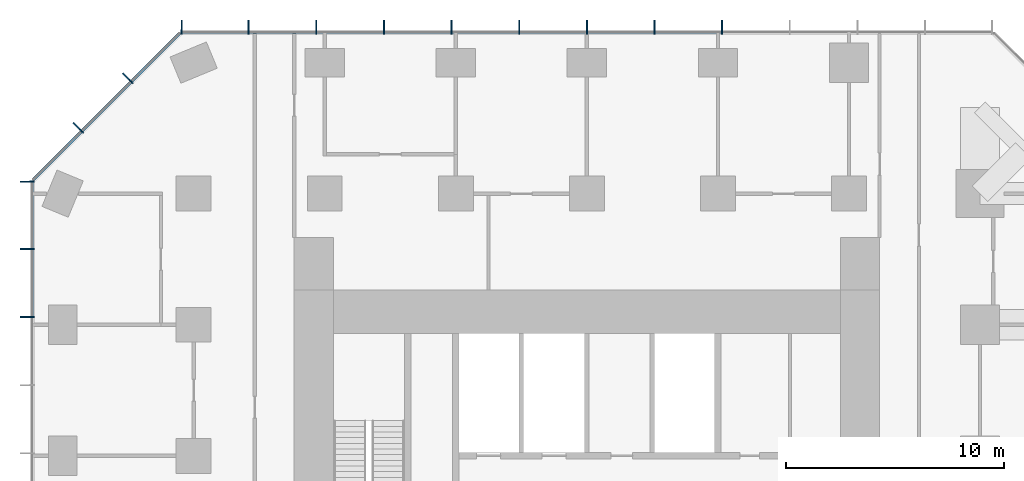
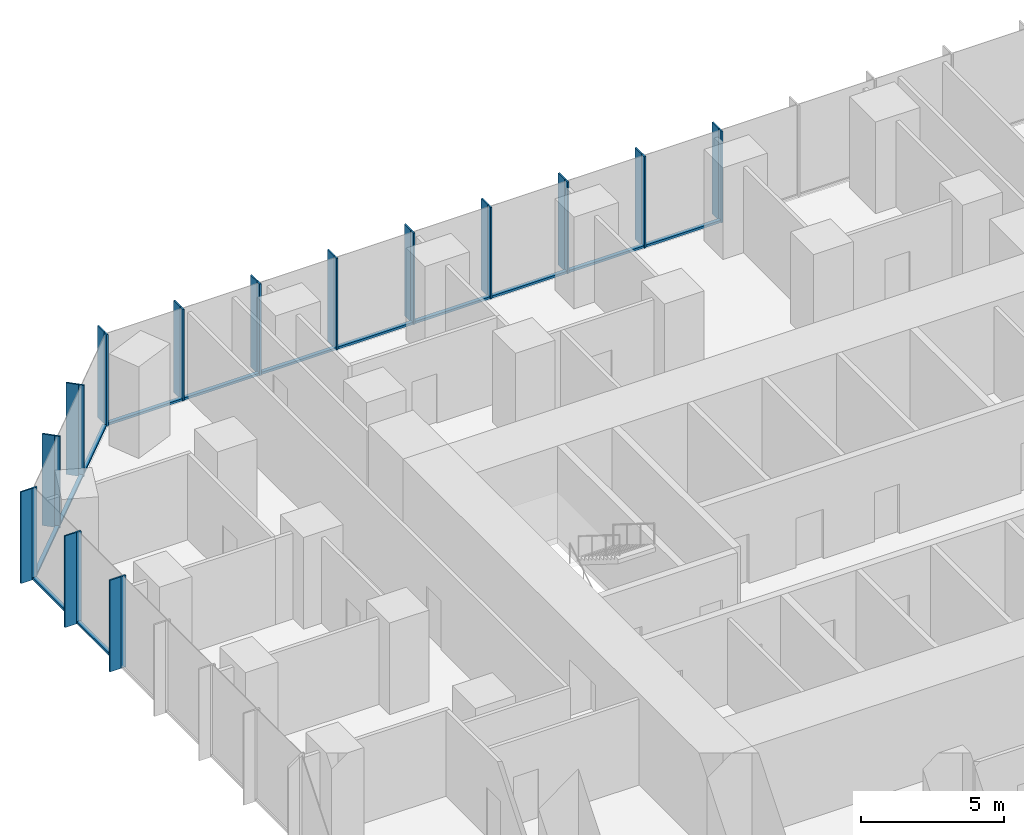
# One storey, part 5 of 12: 41 members, 3 elements without a shape of their own.
"""IFC4 building model written with IfcOpenShell, lengths in metres."""

import ifcopenshell
import ifcopenshell.guid

model = None  # the IFC model being written
_history = None  # IfcOwnerHistory: only IFC2X3 demands one
_inside = {}  # id of a spatial element -> (the spatial element, [elements in it])
_under = {}  # id of a project, library or spatial element -> (it, [spatial elements below it])
_declared = {}  # id of a project -> (the project, [libraries it declares])
_typed = {}  # id of a type object -> (the type object, [elements of that type])
_made_of = {}  # id of a material, layer set ... -> (it, [elements and type objects made of it])


def new_model(schema):
    """Start an empty IFC model of exactly this schema.

    Asked for "IFC4X3", IfcOpenShell would pick the latest addendum, in which some entities
    have other attributes; the version numbers below select the first issue.
    IFC2X3 requires an IfcOwnerHistory on every rooted entity: one is made here for all.
    """
    global model, _history
    if schema == "IFC4X3":
        model = ifcopenshell.file(schema_version=(4, 3, 0, 0))
    else:
        model = ifcopenshell.file(schema=schema)
    _inside.clear()
    _under.clear()
    _declared.clear()
    _typed.clear()
    _made_of.clear()
    _history = None
    if model.schema == "IFC2X3":
        org = make("IfcOrganization", Name="unknown")
        user = make(
            "IfcPersonAndOrganization",
            ThePerson=make("IfcPerson", FamilyName="unknown"),
            TheOrganization=org,
        )
        app = make(
            "IfcApplication",
            ApplicationDeveloper=org,
            Version="unknown",
            ApplicationFullName="unknown",
            ApplicationIdentifier="unknown",
        )
        _history = make(
            "IfcOwnerHistory",
            OwningUser=user,
            OwningApplication=app,
            ChangeAction="ADDED",
            CreationDate=0,
        )
    return model


def make(cls, **values):
    """One entity of the class cls with the attributes given. An attribute that is None is left unset."""
    return model.create_entity(
        cls, **{name: value for name, value in values.items() if value is not None}
    )


def rooted(cls, **values):
    """An entity with a GlobalId (a new one), such as an element, a storey or a relation."""
    return make(cls, GlobalId=ifcopenshell.guid.new(), OwnerHistory=_history, **values)


def si_unit(unit_type, name, prefix=None):
    """IfcSIUnit, for example si_unit("LENGTHUNIT", "METRE", prefix="MILLI")."""
    return make("IfcSIUnit", UnitType=unit_type, Prefix=prefix, Name=name)


def assignment(units):
    """IfcUnitAssignment: the units of a project."""
    return None if units is None else make("IfcUnitAssignment", Units=units)


def point(xyz):
    """IfcCartesianPoint."""
    return None if xyz is None else make("IfcCartesianPoint", Coordinates=xyz)


def direction(xyz):
    """IfcDirection."""
    return None if xyz is None else make("IfcDirection", DirectionRatios=xyz)


def frame(location, z_axis=None, x_axis=None):
    """IfcAxis2Placement3D, a coordinate frame: its origin and axes. An axis left out is left unset."""
    return make(
        "IfcAxis2Placement3D",
        Location=point(location),
        Axis=direction(z_axis),
        RefDirection=direction(x_axis),
    )


def frame_2d(location, x_axis=None):
    """IfcAxis2Placement2D, a coordinate frame in the plane: its origin and x axis."""
    return make(
        "IfcAxis2Placement2D", Location=point(location), RefDirection=direction(x_axis)
    )


def origin():
    """The frame at (0, 0, 0) with its axes left unset."""
    return frame((0.0, 0.0, 0.0))


def origin_2d():
    """The frame at (0, 0) in the plane with its x axis left unset."""
    return frame_2d((0.0, 0.0))


def place(relative_to, where):
    """IfcLocalPlacement: puts the frame where relative to a parent placement (None: the world)."""
    return make(
        "IfcLocalPlacement", PlacementRelTo=relative_to, RelativePlacement=where
    )


def context(
    kind, dimensions, precision=None, world=None, true_north=None, identifier=None
):
    """IfcGeometricRepresentationContext, for example the 3D "Model" context."""
    return make(
        "IfcGeometricRepresentationContext",
        ContextIdentifier=identifier,
        ContextType=kind,
        CoordinateSpaceDimension=dimensions,
        Precision=precision,
        WorldCoordinateSystem=world,
        TrueNorth=true_north,
    )


def subcontext(parent, identifier, kind, view, scale=None):
    """IfcGeometricRepresentationSubContext, for example "Body" below "Model"."""
    return make(
        "IfcGeometricRepresentationSubContext",
        ContextIdentifier=identifier,
        ContextType=kind,
        ParentContext=parent,
        TargetScale=scale,
        TargetView=view,
    )


def project(units=None, contexts=None):
    """IfcProject with its units and contexts."""
    return rooted(
        "IfcProject",
        Name="project",
        RepresentationContexts=contexts,
        UnitsInContext=assignment(units),
    )


def spatial(cls, under=None, at=None, **own):
    """A site, building, storey or space (cls), placed at a placement, below another one or the project."""
    s = rooted(cls, ObjectPlacement=at, **own)
    if under is not None:
        _under.setdefault(under.id(), (under, []))[1].append(s)
    return s


def profile(cls, at=None, kind="AREA", **sizes):
    """A parametric profile (cls). Its sizes go by their IFC names, for example OverallWidth=200.0."""
    return make(cls, ProfileType=kind, Position=at, **sizes)


def rectangle(**sizes):
    """IfcRectangleProfileDef."""
    return profile("IfcRectangleProfileDef", **sizes)


def extrude(swept, where, along, depth):
    """IfcExtrudedAreaSolid: the profile swept, set in the frame where, extruded along a direction by depth."""
    return make(
        "IfcExtrudedAreaSolid",
        SweptArea=swept,
        Position=where,
        ExtrudedDirection=direction(along),
        Depth=depth,
    )


def shape(context_of_items, identifier, shape_type, items):
    """IfcShapeRepresentation: the items that make up one representation, for example the "Body"."""
    return make(
        "IfcShapeRepresentation",
        ContextOfItems=context_of_items,
        RepresentationIdentifier=identifier,
        RepresentationType=shape_type,
        Items=items,
    )


def material(Name=None, Category=None):
    """IfcMaterial."""
    return make("IfcMaterial", Name=Name, Category=Category)


def layer(
    of_material, thickness, ventilated=None, Name=None, Category=None, Priority=None
):
    """IfcMaterialLayer: one layer of a wall or slab, of a material (None: an air gap)."""
    return make(
        "IfcMaterialLayer",
        Material=of_material,
        LayerThickness=thickness,
        IsVentilated=ventilated,
        Name=Name,
        Category=Category,
        Priority=Priority,
    )


def layer_set(layers, Name=None):
    """IfcMaterialLayerSet."""
    return make("IfcMaterialLayerSet", MaterialLayers=layers, LayerSetName=Name)


def material_profile(
    of_material, cross_section, Name=None, Category=None, Priority=None
):
    """IfcMaterialProfile: a cross section and its material."""
    return make(
        "IfcMaterialProfile",
        Name=Name,
        Material=of_material,
        Profile=cross_section,
        Priority=Priority,
        Category=Category,
    )


def profile_set(profiles, Name=None, composite=None):
    """IfcMaterialProfileSet."""
    return make(
        "IfcMaterialProfileSet",
        Name=Name,
        MaterialProfiles=profiles,
        CompositeProfile=composite,
    )


def made_of(thing, what):
    """Note that an element or type object is made of a material, layer set ...; save() writes the relation."""
    if what is not None:
        _made_of.setdefault(what.id(), (what, []))[1].append(thing)
    return thing


def type_object(cls, material=None, **own):
    """A type object (cls), such as IfcWallType, which elements share."""
    return made_of(rooted(cls, **own), material)


def element(
    cls,
    number,
    at=None,
    inside=None,
    cuts=None,
    type_object=None,
    material=None,
    context=None,
    identifier="Body",
    shape_type=None,
    held_by="IfcProductDefinitionShape",
    body=None,
    shapes=None,
    **own,
):
    """One element of the class cls, such as IfcWall. Its Tag is "e" and its number.

    at: its placement. inside: the storey or other place that contains it. cuts: it is an
    opening in that element (IfcRelVoidsElement). A single representation is given by context,
    identifier, shape_type and body (its items); several are given by shapes. held_by: the class
    of the entity that holds the representations. save() writes the other relations.
    """
    e = rooted(cls, Tag="e%d" % number, ObjectPlacement=at, **own)
    if body is not None:
        shapes = [shape(context, identifier, shape_type, body)]
    if shapes is not None:
        e.Representation = make(held_by, Representations=shapes)
    if inside is not None:
        _inside.setdefault(inside.id(), (inside, []))[1].append(e)
    if cuts is not None:
        rooted(
            "IfcRelVoidsElement", RelatingBuildingElement=cuts, RelatedOpeningElement=e
        )
    if type_object is not None:
        _typed.setdefault(type_object.id(), (type_object, []))[1].append(e)
    return made_of(e, material)


def aggregate(whole, parts):
    """IfcRelAggregates: a whole, such as a stair, and the parts it consists of."""
    return rooted("IfcRelAggregates", RelatingObject=whole, RelatedObjects=parts)


def save(model, path):
    """Write the relations noted so far, then the file.

    IfcRelAggregates (storeys below a building ...), IfcRelContainedInSpatialStructure (elements
    in a storey), IfcRelDefinesByType, IfcRelAssociatesMaterial and IfcRelDeclares: one each for
    every whole, place, type object, material and project.
    """
    for whole, parts in _under.values():
        aggregate(whole, parts)
    for where, things in _inside.values():
        rooted(
            "IfcRelContainedInSpatialStructure",
            RelatedElements=things,
            RelatingStructure=where,
        )
    for kind, things in _typed.values():
        rooted("IfcRelDefinesByType", RelatedObjects=things, RelatingType=kind)
    for what, things in _made_of.values():
        rooted("IfcRelAssociatesMaterial", RelatedObjects=things, RelatingMaterial=what)
    for by, libraries in _declared.values():
        rooted("IfcRelDeclares", RelatingContext=by, RelatedDefinitions=libraries)
    model.write(path)


model = new_model("IFC4")

# Units and contexts
model_context = context("Model", 3, precision=1e-05, world=origin(), true_north=direction((0.0, 1.0)))
body_context = subcontext(model_context, "Body", "Model", "MODEL_VIEW")
ifc_project = project(units=[si_unit("LENGTHUNIT", "METRE"), si_unit("AREAUNIT", "SQUARE_METRE"), si_unit("VOLUMEUNIT", "CUBIC_METRE"), si_unit("PLANEANGLEUNIT", "RADIAN"), si_unit("MASSUNIT", "GRAM", prefix="KILO")], contexts=[model_context])

# Site, building, storey
site_placement = place(None, origin())
site = spatial("IfcSite", under=ifc_project, at=site_placement, CompositionType="ELEMENT")
building_placement = place(site_placement, origin())
building = spatial("IfcBuilding", under=site, at=building_placement, Name="Highveld Stack Headquarters", CompositionType="ELEMENT")
storey_placement = place(building_placement, frame((0.0, 0.0, 148.39990234375)))
storey = spatial("IfcBuildingStorey", under=building, at=storey_placement, Name="L36", CompositionType="ELEMENT", Elevation=148.39990234375)

# Curtain wall, members
ifc_material_1 = material(Name="Aluminium bronze anodised", Category="aluminium")
ifc_layer_1 = layer(ifc_material_1, 0.199951171875)
ifc_layer_set_1 = layer_set([ifc_layer_1], Name="Aluminium bronze anodised")
curtain_wall_type_1 = type_object("IfcCurtainWallType", Name="CW1 TOWER UNITISED CURTAIN WALL", PredefinedType="NOTDEFINED", material=ifc_layer_set_1)
curtain_wall_1_placement = place(storey_placement, origin())
curtain_wall_1 = element("IfcCurtainWall", 1, at=curtain_wall_1_placement, inside=storey, type_object=curtain_wall_type_1, Name="Curtain wall CW1 L36 N", PredefinedType="NOTDEFINED")
ifc_material_2 = material(Name="Aluminium bronze anodised", Category="aluminium")
ifc_material_profile_1 = material_profile(ifc_material_2, rectangle(XDim=0.449951171875, YDim=0.06005859375, at=origin_2d()), Name="FIN 450x60")
ifc_profile_set_1 = profile_set([ifc_material_profile_1], Name="Aluminium bronze anodised")
member_type_1 = type_object("IfcMemberType", Name="CW1 BRONZE FIN 450x60", PredefinedType="USERDEFINED", material=ifc_profile_set_1)
member_1_placement = place(storey_placement, frame((12.193359375, 25.72509765625, 0.0), z_axis=(0.0, 0.0, 1.0), x_axis=(0.0, -1.0, 0.0)))
member_1 = element("IfcMember", 2, at=member_1_placement, type_object=member_type_1, Name="CW1 fin L36 5", ObjectType="FIN", PredefinedType="USERDEFINED", context=body_context, shape_type="SweptSolid", body=[
    extrude(rectangle(XDim=0.449951171875, YDim=0.06005859375, at=origin_2d()), origin(), (0.0, 0.0, 1.0), 3.900146484375),
])
member_2_placement = place(storey_placement, frame((9.0966796875, 25.72509765625, 0.0), z_axis=(0.0, 0.0, 1.0), x_axis=(0.0, -1.0, 0.0)))
member_2 = element("IfcMember", 3, at=member_2_placement, type_object=member_type_1, Name="CW1 fin L36 6", ObjectType="FIN", PredefinedType="USERDEFINED", context=body_context, shape_type="SweptSolid", body=[
    extrude(rectangle(XDim=0.449951171875, YDim=0.06005859375, at=origin_2d()), origin(), (0.0, 0.0, 1.0), 3.900146484375),
])
member_3_placement = place(storey_placement, frame((6.0, 25.72509765625, 0.0), z_axis=(0.0, 0.0, 1.0), x_axis=(0.0, -1.0, 0.0)))
member_3 = element("IfcMember", 4, at=member_3_placement, type_object=member_type_1, Name="CW1 fin L36 7", ObjectType="FIN", PredefinedType="USERDEFINED", context=body_context, shape_type="SweptSolid", body=[
    extrude(rectangle(XDim=0.449951171875, YDim=0.06005859375, at=origin_2d()), origin(), (0.0, 0.0, 1.0), 3.900146484375),
])
member_4_placement = place(storey_placement, frame((2.9033203125, 25.72509765625, 0.0), z_axis=(0.0, 0.0, 1.0), x_axis=(0.0, -1.0, 0.0)))
member_4 = element("IfcMember", 5, at=member_4_placement, type_object=member_type_1, Name="CW1 fin L36 8", ObjectType="FIN", PredefinedType="USERDEFINED", context=body_context, shape_type="SweptSolid", body=[
    extrude(rectangle(XDim=0.449951171875, YDim=0.06005859375, at=origin_2d()), origin(), (0.0, 0.0, 1.0), 3.900146484375),
])
member_5_placement = place(storey_placement, frame((-0.193359375, 25.72509765625, 0.0), z_axis=(0.0, 0.0, 1.0), x_axis=(0.0, -1.0, 0.0)))
member_5 = element("IfcMember", 6, at=member_5_placement, type_object=member_type_1, Name="CW1 fin L36 9", ObjectType="FIN", PredefinedType="USERDEFINED", context=body_context, shape_type="SweptSolid", body=[
    extrude(rectangle(XDim=0.449951171875, YDim=0.06005859375, at=origin_2d()), origin(), (0.0, 0.0, 1.0), 3.900146484375),
])
member_6_placement = place(storey_placement, frame((-3.2900390625, 25.72509765625, 0.0), z_axis=(0.0, 0.0, 1.0), x_axis=(0.0, -1.0, 0.0)))
member_6 = element("IfcMember", 7, at=member_6_placement, type_object=member_type_1, Name="CW1 fin L36 10", ObjectType="FIN", PredefinedType="USERDEFINED", context=body_context, shape_type="SweptSolid", body=[
    extrude(rectangle(XDim=0.449951171875, YDim=0.06005859375, at=origin_2d()), origin(), (0.0, 0.0, 1.0), 3.900146484375),
])
member_7_placement = place(storey_placement, frame((-6.38671875, 25.72509765625, 0.0), z_axis=(0.0, 0.0, 1.0), x_axis=(0.0, -1.0, 0.0)))
member_7 = element("IfcMember", 8, at=member_7_placement, type_object=member_type_1, Name="CW1 fin L36 11", ObjectType="FIN", PredefinedType="USERDEFINED", context=body_context, shape_type="SweptSolid", body=[
    extrude(rectangle(XDim=0.449951171875, YDim=0.06005859375, at=origin_2d()), origin(), (0.0, 0.0, 1.0), 3.900146484375),
])
member_8_placement = place(storey_placement, frame((-9.4833984375, 25.72509765625, 0.0), z_axis=(0.0, 0.0, 1.0), x_axis=(0.0, -1.0, 0.0)))
member_8 = element("IfcMember", 9, at=member_8_placement, type_object=member_type_1, Name="CW1 fin L36 12", ObjectType="FIN", PredefinedType="USERDEFINED", context=body_context, shape_type="SweptSolid", body=[
    extrude(rectangle(XDim=0.449951171875, YDim=0.06005859375, at=origin_2d()), origin(), (0.0, 0.0, 1.0), 3.900146484375),
])
member_9_placement = place(storey_placement, frame((-12.54736328125, 25.72509765625, 0.0), z_axis=(0.0, 0.0, 1.0), x_axis=(0.0, -1.0, 0.0)))
member_9 = element("IfcMember", 10, at=member_9_placement, type_object=member_type_1, Name="CW1 fin L36 13", ObjectType="FIN", PredefinedType="USERDEFINED", context=body_context, shape_type="SweptSolid", body=[
    extrude(rectangle(XDim=0.449951171875, YDim=0.06005859375, at=origin_2d()), origin(), (0.0, 0.0, 1.0), 3.900146484375),
])

curtain_wall_2_placement = place(storey_placement, origin())
curtain_wall_2 = element("IfcCurtainWall", 11, at=curtain_wall_2_placement, inside=storey, type_object=curtain_wall_type_1, Name="Curtain wall CW1 L36 W", PredefinedType="NOTDEFINED")
member_10_placement = place(storey_placement, frame((-19.72509765625, 18.54736328125, 0.0), z_axis=(0.0, 0.0, 1.0), x_axis=(1.0, 0.0, 0.0)))
member_10 = element("IfcMember", 12, at=member_10_placement, type_object=member_type_1, Name="CW1 fin L36 1", ObjectType="FIN", PredefinedType="USERDEFINED", context=body_context, shape_type="SweptSolid", body=[
    extrude(rectangle(XDim=0.449951171875, YDim=0.06005859375, at=origin_2d()), origin(), (0.0, 0.0, 1.0), 3.900146484375),
])
member_11_placement = place(storey_placement, frame((-19.72509765625, 15.4638671875, 0.0), z_axis=(0.0, 0.0, 1.0), x_axis=(1.0, 0.0, 0.0)))
member_11 = element("IfcMember", 13, at=member_11_placement, type_object=member_type_1, Name="CW1 fin L36 2", ObjectType="FIN", PredefinedType="USERDEFINED", context=body_context, shape_type="SweptSolid", body=[
    extrude(rectangle(XDim=0.449951171875, YDim=0.06005859375, at=origin_2d()), origin(), (0.0, 0.0, 1.0), 3.900146484375),
])
member_12_placement = place(storey_placement, frame((-19.72509765625, 12.347900390625, 0.0), z_axis=(0.0, 0.0, 1.0), x_axis=(1.0, 0.0, 0.0)))
member_12 = element("IfcMember", 14, at=member_12_placement, type_object=member_type_1, Name="CW1 fin L36 3", ObjectType="FIN", PredefinedType="USERDEFINED", context=body_context, shape_type="SweptSolid", body=[
    extrude(rectangle(XDim=0.449951171875, YDim=0.06005859375, at=origin_2d()), origin(), (0.0, 0.0, 1.0), 3.900146484375),
])

# Member
ifc_material_3 = material(Name="Aluminium bronze anodised", Category="aluminium")
ifc_material_profile_2 = material_profile(ifc_material_3, rectangle(XDim=0.199951171875, YDim=0.06494140625, at=origin_2d()), Name="CW1 MULLION 65x200")
ifc_profile_set_2 = profile_set([ifc_material_profile_2], Name="Aluminium bronze anodised")
member_type_2 = type_object("IfcMemberType", Name="CW1 MULLION 65x200", PredefinedType="MULLION", material=ifc_profile_set_2)
member_13_placement = place(storey_placement, frame((12.193359375, 25.39990234375, 0.0), z_axis=(0.0, 0.0, 1.0), x_axis=(0.0, -1.0, 0.0)))
member_13 = element("IfcMember", 15, at=member_13_placement, type_object=member_type_2, Name="CW1 mullion L36 5", PredefinedType="MULLION", context=body_context, shape_type="SweptSolid", body=[
    extrude(rectangle(XDim=0.199951171875, YDim=0.06494140625, at=origin_2d()), origin(), (0.0, 0.0, 1.0), 3.900146484375),
])

member_14_placement = place(storey_placement, frame((9.0966796875, 25.39990234375, 0.0), z_axis=(0.0, 0.0, 1.0), x_axis=(0.0, -1.0, 0.0)))
member_14 = element("IfcMember", 16, at=member_14_placement, type_object=member_type_2, Name="CW1 mullion L36 6", PredefinedType="MULLION", context=body_context, shape_type="SweptSolid", body=[
    extrude(rectangle(XDim=0.199951171875, YDim=0.06494140625, at=origin_2d()), origin(), (0.0, 0.0, 1.0), 3.900146484375),
])

member_15_placement = place(storey_placement, frame((6.0, 25.39990234375, 0.0), z_axis=(0.0, 0.0, 1.0), x_axis=(0.0, -1.0, 0.0)))
member_15 = element("IfcMember", 17, at=member_15_placement, type_object=member_type_2, Name="CW1 mullion L36 7", PredefinedType="MULLION", context=body_context, shape_type="SweptSolid", body=[
    extrude(rectangle(XDim=0.199951171875, YDim=0.06494140625, at=origin_2d()), origin(), (0.0, 0.0, 1.0), 3.900146484375),
])

member_16_placement = place(storey_placement, frame((2.9033203125, 25.39990234375, 0.0), z_axis=(0.0, 0.0, 1.0), x_axis=(0.0, -1.0, 0.0)))
member_16 = element("IfcMember", 18, at=member_16_placement, type_object=member_type_2, Name="CW1 mullion L36 8", PredefinedType="MULLION", context=body_context, shape_type="SweptSolid", body=[
    extrude(rectangle(XDim=0.199951171875, YDim=0.06494140625, at=origin_2d()), origin(), (0.0, 0.0, 1.0), 3.900146484375),
])

member_17_placement = place(storey_placement, frame((-0.193359375, 25.39990234375, 0.0), z_axis=(0.0, 0.0, 1.0), x_axis=(0.0, -1.0, 0.0)))
member_17 = element("IfcMember", 19, at=member_17_placement, type_object=member_type_2, Name="CW1 mullion L36 9", PredefinedType="MULLION", context=body_context, shape_type="SweptSolid", body=[
    extrude(rectangle(XDim=0.199951171875, YDim=0.06494140625, at=origin_2d()), origin(), (0.0, 0.0, 1.0), 3.900146484375),
])

member_18_placement = place(storey_placement, frame((-3.2900390625, 25.39990234375, 0.0), z_axis=(0.0, 0.0, 1.0), x_axis=(0.0, -1.0, 0.0)))
member_18 = element("IfcMember", 20, at=member_18_placement, type_object=member_type_2, Name="CW1 mullion L36 10", PredefinedType="MULLION", context=body_context, shape_type="SweptSolid", body=[
    extrude(rectangle(XDim=0.199951171875, YDim=0.06494140625, at=origin_2d()), origin(), (0.0, 0.0, 1.0), 3.900146484375),
])

member_19_placement = place(storey_placement, frame((-6.38671875, 25.39990234375, 0.0), z_axis=(0.0, 0.0, 1.0), x_axis=(0.0, -1.0, 0.0)))
member_19 = element("IfcMember", 21, at=member_19_placement, type_object=member_type_2, Name="CW1 mullion L36 11", PredefinedType="MULLION", context=body_context, shape_type="SweptSolid", body=[
    extrude(rectangle(XDim=0.199951171875, YDim=0.06494140625, at=origin_2d()), origin(), (0.0, 0.0, 1.0), 3.900146484375),
])

member_20_placement = place(storey_placement, frame((-9.4833984375, 25.39990234375, 0.0), z_axis=(0.0, 0.0, 1.0), x_axis=(0.0, -1.0, 0.0)))
member_20 = element("IfcMember", 22, at=member_20_placement, type_object=member_type_2, Name="CW1 mullion L36 12", PredefinedType="MULLION", context=body_context, shape_type="SweptSolid", body=[
    extrude(rectangle(XDim=0.199951171875, YDim=0.06494140625, at=origin_2d()), origin(), (0.0, 0.0, 1.0), 3.900146484375),
])

member_21_placement = place(storey_placement, frame((-12.54736328125, 25.39990234375, 0.0), z_axis=(0.0, 0.0, 1.0), x_axis=(0.0, -1.0, 0.0)))
member_21 = element("IfcMember", 23, at=member_21_placement, type_object=member_type_2, Name="CW1 mullion L36 13", PredefinedType="MULLION", context=body_context, shape_type="SweptSolid", body=[
    extrude(rectangle(XDim=0.199951171875, YDim=0.06494140625, at=origin_2d()), origin(), (0.0, 0.0, 1.0), 3.900146484375),
])

member_22_placement = place(storey_placement, frame((-19.39990234375, 18.54736328125, 0.0), z_axis=(0.0, 0.0, 1.0), x_axis=(1.0, 0.0, 0.0)))
member_22 = element("IfcMember", 24, at=member_22_placement, type_object=member_type_2, Name="CW1 mullion L36 1", PredefinedType="MULLION", context=body_context, shape_type="SweptSolid", body=[
    extrude(rectangle(XDim=0.199951171875, YDim=0.06494140625, at=origin_2d()), origin(), (0.0, 0.0, 1.0), 3.900146484375),
])

member_23_placement = place(storey_placement, frame((-19.39990234375, 15.4638671875, 0.0), z_axis=(0.0, 0.0, 1.0), x_axis=(1.0, 0.0, 0.0)))
member_23 = element("IfcMember", 25, at=member_23_placement, type_object=member_type_2, Name="CW1 mullion L36 2", PredefinedType="MULLION", context=body_context, shape_type="SweptSolid", body=[
    extrude(rectangle(XDim=0.199951171875, YDim=0.06494140625, at=origin_2d()), origin(), (0.0, 0.0, 1.0), 3.900146484375),
])

member_24_placement = place(storey_placement, frame((-19.39990234375, 12.347900390625, 0.0), z_axis=(0.0, 0.0, 1.0), x_axis=(1.0, 0.0, 0.0)))
member_24 = element("IfcMember", 26, at=member_24_placement, type_object=member_type_2, Name="CW1 mullion L36 3", PredefinedType="MULLION", context=body_context, shape_type="SweptSolid", body=[
    extrude(rectangle(XDim=0.199951171875, YDim=0.06494140625, at=origin_2d()), origin(), (0.0, 0.0, 1.0), 3.900146484375),
])

ifc_material_4 = material(Name="Aluminium bronze anodised", Category="aluminium")
ifc_material_profile_3 = material_profile(ifc_material_4, rectangle(XDim=0.14990234375, YDim=0.10009765625, at=origin_2d()), Name="CW1 TRANSOM 150x100")
ifc_profile_set_3 = profile_set([ifc_material_profile_3], Name="Aluminium bronze anodised")
member_type_3 = type_object("IfcMemberType", Name="CW1 STACK TRANSOM 150x100", PredefinedType="USERDEFINED", material=ifc_profile_set_3)
member_25_placement = place(storey_placement, frame((12.160888671875, 25.39990234375, 0.050048828125), z_axis=(-1.0, 0.0, 0.0), x_axis=(0.0, -1.0, 0.0)))
member_25 = element("IfcMember", 27, at=member_25_placement, type_object=member_type_3, Name="CW1 transom L36 5.1", ObjectType="TRANSOM", PredefinedType="USERDEFINED", context=body_context, shape_type="SweptSolid", body=[
    extrude(rectangle(XDim=0.14990234375, YDim=0.10009765625, at=origin_2d()), origin(), (0.0, 0.0, 1.0), 3.03173828125),
])

member_26_placement = place(storey_placement, frame((9.064208984375, 25.39990234375, 0.050048828125), z_axis=(-1.0, 0.0, 0.0), x_axis=(0.0, -1.0, 0.0)))
member_26 = element("IfcMember", 28, at=member_26_placement, type_object=member_type_3, Name="CW1 transom L36 6.1", ObjectType="TRANSOM", PredefinedType="USERDEFINED", context=body_context, shape_type="SweptSolid", body=[
    extrude(rectangle(XDim=0.14990234375, YDim=0.10009765625, at=origin_2d()), origin(), (0.0, 0.0, 1.0), 3.03173828125),
])

member_27_placement = place(storey_placement, frame((5.967529296875, 25.39990234375, 0.050048828125), z_axis=(-1.0, 0.0, 0.0), x_axis=(0.0, -1.0, 0.0)))
member_27 = element("IfcMember", 29, at=member_27_placement, type_object=member_type_3, Name="CW1 transom L36 7.1", ObjectType="TRANSOM", PredefinedType="USERDEFINED", context=body_context, shape_type="SweptSolid", body=[
    extrude(rectangle(XDim=0.14990234375, YDim=0.10009765625, at=origin_2d()), origin(), (0.0, 0.0, 1.0), 3.03173828125),
])

member_28_placement = place(storey_placement, frame((2.870849609375, 25.39990234375, 0.050048828125), z_axis=(-1.0, 0.0, 0.0), x_axis=(0.0, -1.0, 0.0)))
member_28 = element("IfcMember", 30, at=member_28_placement, type_object=member_type_3, Name="CW1 transom L36 8.1", ObjectType="TRANSOM", PredefinedType="USERDEFINED", context=body_context, shape_type="SweptSolid", body=[
    extrude(rectangle(XDim=0.14990234375, YDim=0.10009765625, at=origin_2d()), origin(), (0.0, 0.0, 1.0), 3.03173828125),
])

member_29_placement = place(storey_placement, frame((-0.225830078125, 25.39990234375, 0.050048828125), z_axis=(-1.0, 0.0, 0.0), x_axis=(0.0, -1.0, 0.0)))
member_29 = element("IfcMember", 31, at=member_29_placement, type_object=member_type_3, Name="CW1 transom L36 9.1", ObjectType="TRANSOM", PredefinedType="USERDEFINED", context=body_context, shape_type="SweptSolid", body=[
    extrude(rectangle(XDim=0.14990234375, YDim=0.10009765625, at=origin_2d()), origin(), (0.0, 0.0, 1.0), 3.03173828125),
])

member_30_placement = place(storey_placement, frame((-3.322509765625, 25.39990234375, 0.050048828125), z_axis=(-1.0, 0.0, 0.0), x_axis=(0.0, -1.0, 0.0)))
member_30 = element("IfcMember", 32, at=member_30_placement, type_object=member_type_3, Name="CW1 transom L36 10.1", ObjectType="TRANSOM", PredefinedType="USERDEFINED", context=body_context, shape_type="SweptSolid", body=[
    extrude(rectangle(XDim=0.14990234375, YDim=0.10009765625, at=origin_2d()), origin(), (0.0, 0.0, 1.0), 3.031494140625),
])

member_31_placement = place(storey_placement, frame((-6.419189453125, 25.39990234375, 0.050048828125), z_axis=(-1.0, 0.0, 0.0), x_axis=(0.0, -1.0, 0.0)))
member_31 = element("IfcMember", 33, at=member_31_placement, type_object=member_type_3, Name="CW1 transom L36 11.1", ObjectType="TRANSOM", PredefinedType="USERDEFINED", context=body_context, shape_type="SweptSolid", body=[
    extrude(rectangle(XDim=0.14990234375, YDim=0.10009765625, at=origin_2d()), origin(), (0.0, 0.0, 1.0), 3.031494140625),
])

member_32_placement = place(storey_placement, frame((-9.515869140625, 25.39990234375, 0.050048828125), z_axis=(-1.0, 0.0, 0.0), x_axis=(0.0, -1.0, 0.0)))
member_32 = element("IfcMember", 34, at=member_32_placement, type_object=member_type_3, Name="CW1 transom L36 12.1", ObjectType="TRANSOM", PredefinedType="USERDEFINED", context=body_context, shape_type="SweptSolid", body=[
    extrude(rectangle(XDim=0.14990234375, YDim=0.10009765625, at=origin_2d()), origin(), (0.0, 0.0, 1.0), 2.9990234375),
])

aggregate(curtain_wall_1, [member_13, member_1, member_14, member_2, member_15, member_3, member_16, member_4, member_17, member_5, member_18, member_6, member_19, member_7, member_20, member_8, member_21, member_9, member_25, member_26, member_27, member_28, member_29, member_30, member_31, member_32])

member_33_placement = place(storey_placement, frame((-19.39990234375, 18.514892578125, 0.050048828125), z_axis=(0.0, -1.0, 0.0), x_axis=(1.0, 0.0, 0.0)))
member_33 = element("IfcMember", 35, at=member_33_placement, type_object=member_type_3, Name="CW1 transom L36 1.1", ObjectType="TRANSOM", PredefinedType="USERDEFINED", context=body_context, shape_type="SweptSolid", body=[
    extrude(rectangle(XDim=0.14990234375, YDim=0.10009765625, at=origin_2d()), origin(), (0.0, 0.0, 1.0), 3.0185546875),
])

member_34_placement = place(storey_placement, frame((-19.39990234375, 15.431396484375, 0.050048828125), z_axis=(0.0, -1.0, 0.0), x_axis=(1.0, 0.0, 0.0)))
member_34 = element("IfcMember", 36, at=member_34_placement, type_object=member_type_3, Name="CW1 transom L36 2.1", ObjectType="TRANSOM", PredefinedType="USERDEFINED", context=body_context, shape_type="SweptSolid", body=[
    extrude(rectangle(XDim=0.14990234375, YDim=0.10009765625, at=origin_2d()), origin(), (0.0, 0.0, 1.0), 3.051025390625),
])

aggregate(curtain_wall_2, [member_22, member_10, member_23, member_11, member_24, member_12, member_33, member_34])

# Curtain wall, members
ifc_material_5 = material(Name="Aluminium bronze anodised", Category="aluminium")
ifc_layer_2 = layer(ifc_material_5, 0.199951171875)
ifc_layer_set_2 = layer_set([ifc_layer_2], Name="Aluminium bronze anodised")
curtain_wall_type_2 = type_object("IfcCurtainWallType", Name="CW2 TOWER CHAMFER UNITISED CURTAIN WALL", PredefinedType="NOTDEFINED", material=ifc_layer_set_2)
curtain_wall_3_placement = place(storey_placement, origin())
curtain_wall_3 = element("IfcCurtainWall", 37, at=curtain_wall_3_placement, inside=storey, type_object=curtain_wall_type_2, Name="Curtain wall CW2 L36 NW", PredefinedType="NOTDEFINED")
ifc_material_6 = material(Name="Aluminium bronze anodised", Category="aluminium")
ifc_material_profile_4 = material_profile(ifc_material_6, rectangle(XDim=0.449951171875, YDim=0.06005859375, at=origin_2d()), Name="FIN 450x60")
ifc_profile_set_4 = profile_set([ifc_material_profile_4], Name="Aluminium bronze anodised")
member_type_4 = type_object("IfcMemberType", Name="CW2 BRONZE FIN 450x60", PredefinedType="USERDEFINED", material=ifc_profile_set_4)
member_35_placement = place(storey_placement, frame((-15.0830078125, 23.3564453125, 0.0), z_axis=(0.0, 0.0, 1.0), x_axis=(0.707106781187, -0.707106781187, 0.0)))
member_35 = element("IfcMember", 38, at=member_35_placement, type_object=member_type_4, Name="CW2 fin L36 1", ObjectType="FIN", PredefinedType="USERDEFINED", context=body_context, shape_type="SweptSolid", body=[
    extrude(rectangle(XDim=0.449951171875, YDim=0.06005859375, at=origin_2d()), origin(), (0.0, 0.0, 1.0), 3.900146484375),
])
member_36_placement = place(storey_placement, frame((-17.3564453125, 21.0830078125, 0.0), z_axis=(0.0, 0.0, 1.0), x_axis=(0.707106781187, -0.707106781187, 0.0)))
member_36 = element("IfcMember", 39, at=member_36_placement, type_object=member_type_4, Name="CW2 fin L36 2", ObjectType="FIN", PredefinedType="USERDEFINED", context=body_context, shape_type="SweptSolid", body=[
    extrude(rectangle(XDim=0.449951171875, YDim=0.06005859375, at=origin_2d()), origin(), (0.0, 0.0, 1.0), 3.900146484375),
])
ifc_material_7 = material(Name="Aluminium bronze anodised", Category="aluminium")
ifc_material_profile_5 = material_profile(ifc_material_7, rectangle(XDim=0.199951171875, YDim=0.06494140625, at=origin_2d()), Name="CW2 MULLION 65x200")
ifc_profile_set_5 = profile_set([ifc_material_profile_5], Name="Aluminium bronze anodised")
member_type_5 = type_object("IfcMemberType", Name="CW2 MULLION 65x200", PredefinedType="MULLION", material=ifc_profile_set_5)
member_37_placement = place(storey_placement, frame((-14.853271484375, 23.126708984375, 0.0), z_axis=(0.0, 0.0, 1.0), x_axis=(0.707106781187, -0.707106781187, 0.0)))
member_37 = element("IfcMember", 40, at=member_37_placement, type_object=member_type_5, Name="CW2 mullion L36 1", PredefinedType="MULLION", context=body_context, shape_type="SweptSolid", body=[
    extrude(rectangle(XDim=0.199951171875, YDim=0.06494140625, at=origin_2d()), origin(), (0.0, 0.0, 1.0), 3.900146484375),
])
member_38_placement = place(storey_placement, frame((-17.126708984375, 20.853271484375, 0.0), z_axis=(0.0, 0.0, 1.0), x_axis=(0.707106781187, -0.707106781187, 0.0)))
member_38 = element("IfcMember", 41, at=member_38_placement, type_object=member_type_5, Name="CW2 mullion L36 2", PredefinedType="MULLION", context=body_context, shape_type="SweptSolid", body=[
    extrude(rectangle(XDim=0.199951171875, YDim=0.06494140625, at=origin_2d()), origin(), (0.0, 0.0, 1.0), 3.900146484375),
])
ifc_material_8 = material(Name="Aluminium bronze anodised", Category="aluminium")
ifc_material_profile_6 = material_profile(ifc_material_8, rectangle(XDim=0.14990234375, YDim=0.10009765625, at=origin_2d()), Name="CW2 TRANSOM 150x100")
ifc_profile_set_6 = profile_set([ifc_material_profile_6], Name="Aluminium bronze anodised")
member_type_6 = type_object("IfcMemberType", Name="CW2 STACK TRANSOM 150x100", PredefinedType="USERDEFINED", material=ifc_profile_set_6)
member_39_placement = place(storey_placement, frame((-12.650634765625, 25.329345703125, 0.050048828125), z_axis=(-0.707106781187, -0.707106781187, 0.0), x_axis=(0.707106781187, -0.707106781187, 0.0)))
member_39 = element("IfcMember", 42, at=member_39_placement, type_object=member_type_6, Name="CW2 transom L36 1.1", ObjectType="TRANSOM", PredefinedType="USERDEFINED", context=body_context, shape_type="SweptSolid", body=[
    extrude(rectangle(XDim=0.14990234375, YDim=0.10009765625, at=origin_2d()), origin(), (0.0, 0.0, 1.0), 3.08251953125),
])
member_40_placement = place(storey_placement, frame((-14.876220703125, 23.103759765625, 0.050048828125), z_axis=(-0.707106781187, -0.707106781187, 0.0), x_axis=(0.707106781187, -0.707106781187, 0.0)))
member_40 = element("IfcMember", 43, at=member_40_placement, type_object=member_type_6, Name="CW2 transom L36 2.1", ObjectType="TRANSOM", PredefinedType="USERDEFINED", context=body_context, shape_type="SweptSolid", body=[
    extrude(rectangle(XDim=0.14990234375, YDim=0.10009765625, at=origin_2d()), origin(), (0.0, 0.0, 1.0), 3.150146484375),
])
member_41_placement = place(storey_placement, frame((-17.149658203125, 20.830322265625, 0.050048828125), z_axis=(-0.707106781187, -0.707106781187, 0.0), x_axis=(0.707106781187, -0.707106781187, 0.0)))
member_41 = element("IfcMember", 44, at=member_41_placement, type_object=member_type_6, Name="CW2 transom L36 3.1", ObjectType="TRANSOM", PredefinedType="USERDEFINED", context=body_context, shape_type="SweptSolid", body=[
    extrude(rectangle(XDim=0.14990234375, YDim=0.10009765625, at=origin_2d()), origin(), (0.0, 0.0, 1.0), 3.08251953125),
])
aggregate(curtain_wall_3, [member_37, member_35, member_38, member_36, member_39, member_40, member_41])

save(model, "model.ifc")
